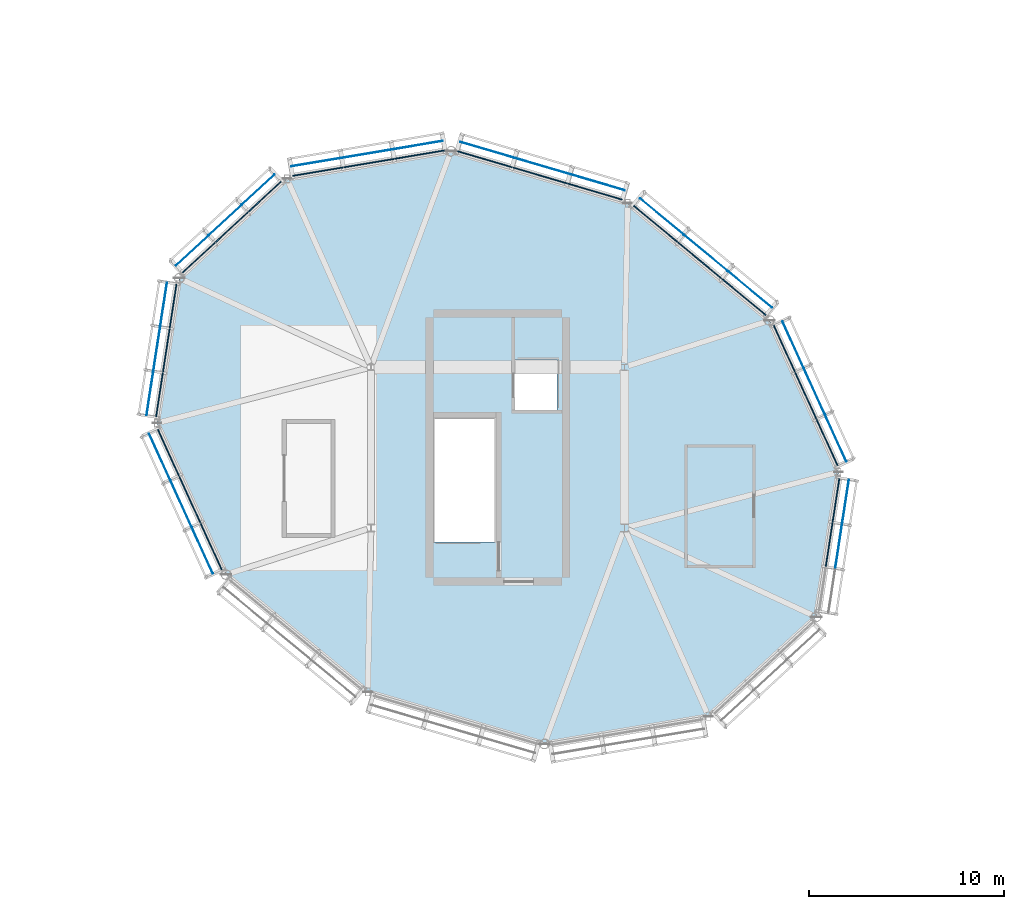
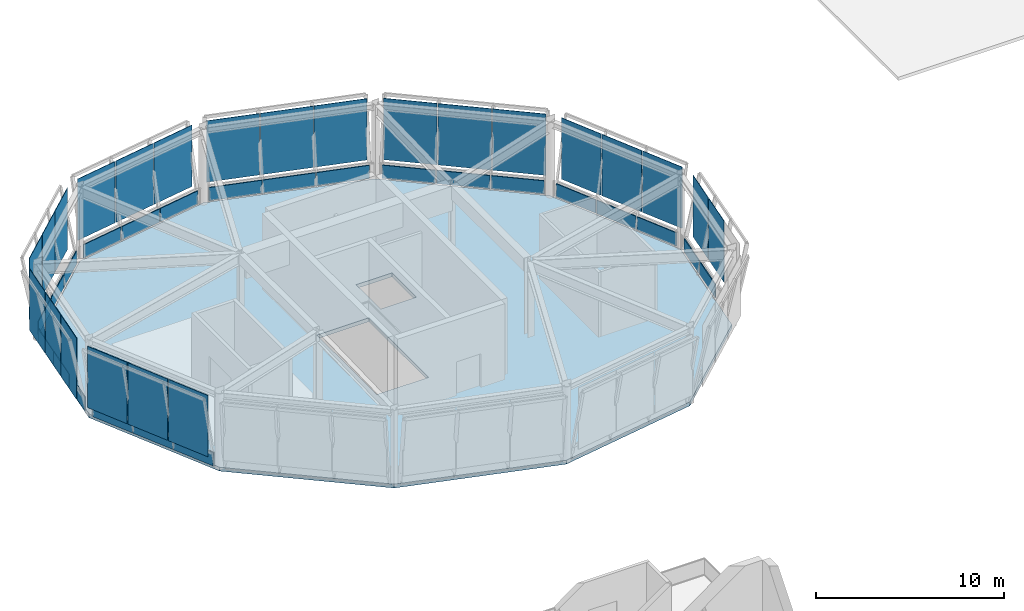
# One storey, part 74 of 113: 46 plates, 1 slab, 8 elements without a shape of their own.
"""IFC4 building model written with IfcOpenShell, lengths in metres."""

from ifc_helpers import new_model, si_unit, direction, frame, origin, origin_2d, place, context, subcontext, project, spatial, polyline, rectangle, outline, extrude, material, layer, layer_set, type_object, element, aggregate, save


model = new_model("IFC4")

# Units and contexts
model_context = context("Model", 3, precision=1e-05, world=origin(), true_north=direction((0.0, 1.0)))
body_context = subcontext(model_context, "Body", "Model", "MODEL_VIEW")
ifc_project = project(units=[si_unit("LENGTHUNIT", "METRE"), si_unit("AREAUNIT", "SQUARE_METRE"), si_unit("VOLUMEUNIT", "CUBIC_METRE"), si_unit("PLANEANGLEUNIT", "RADIAN"), si_unit("MASSUNIT", "GRAM", prefix="KILO")], contexts=[model_context])

# Site, building, storey
site_placement = place(None, origin())
site = spatial("IfcSite", under=ifc_project, at=site_placement, CompositionType="ELEMENT")
building_placement = place(site_placement, origin())
building = spatial("IfcBuilding", under=site, at=building_placement, Name="Linyun Crest Stadium", CompositionType="ELEMENT")
storey_placement = place(building_placement, frame((0.0, 0.0, 26.39990234375)))
storey = spatial("IfcBuildingStorey", under=building, at=storey_placement, Name="L06", CompositionType="ELEMENT", Elevation=26.39990234375)

# Slab
ifc_material_1 = material(Name="Concrete C40", Category="concrete")
ifc_layer_1 = layer(ifc_material_1, 0.25)
ifc_layer_set_1 = layer_set([ifc_layer_1], Name="Concrete C40")
slab_type = type_object("IfcSlabType", Name="FS04", PredefinedType="FLOOR", material=ifc_layer_set_1)
slab_placement = place(storey_placement, frame((0.0, 0.0, -0.25)))
element("IfcSlab", 1, at=slab_placement, inside=storey, type_object=slab_type, Name="Slab FS04 V5 L06 52", PredefinedType="FLOOR", context=body_context, shape_type="SweptSolid", body=[
    extrude(outline(polyline([(-57.1650390625, 75.93994140625), (-56.02099609375, 83.3720703125), (-59.55908203125, 91.139892578125), (-66.833984375, 97.1630859375), (-75.89404296875, 99.825927734375), (-84.31298828125, 98.416015625), (-89.8349609375, 93.31005859375), (-90.97900390625, 85.8779296875), (-87.44091796875, 78.110107421875), (-80.166015625, 72.0869140625), (-71.10595703125, 69.424072265625), (-62.68701171875, 70.833984375), (-57.1650390625, 75.93994140625)]), holes=[polyline([(-76.800048828125, 79.77001953125), (-76.800048828125, 86.14990234375), (-73.60009765625, 86.14990234375), (-73.60009765625, 79.77001953125), (-76.800048828125, 79.77001953125)]), polyline([(-72.64990234375, 86.550048828125), (-72.64990234375, 89.14990234375), (-70.449951171875, 89.14990234375), (-70.449951171875, 86.550048828125), (-72.64990234375, 86.550048828125)])]), origin(), (0.0, 0.0, 1.0), 0.25),
])

# Curtain wall, plates
ifc_material_2 = material(Name="Verdigris steel and low-E curtain wall assembly", Category="steel")
curtain_wall_type = type_object("IfcCurtainWallType", Name="MCW04", PredefinedType="NOTDEFINED", material=ifc_material_2)
curtain_wall_1_placement = place(storey_placement, origin())
curtain_wall_1 = element("IfcCurtainWall", 2, at=curtain_wall_1_placement, inside=storey, type_object=curtain_wall_type, Name="CWR-025", PredefinedType="NOTDEFINED")
ifc_material_3 = material(Name="Acoustic laminated low-E broadcast glass", Category="glass")
ifc_layer_2 = layer(ifc_material_3, 0.030029296875)
ifc_layer_set_2 = layer_set([ifc_layer_2], Name="Acoustic laminated low-E broadcast glass")
plate_type_1 = type_object("IfcPlateType", Name="GP02", PredefinedType="CURTAIN_PANEL", material=ifc_layer_set_2)
plate_1_placement = place(storey_placement, frame((-56.013916015625, 79.56689453125, 0.884521484375), z_axis=(0.0, 0.0, 1.0), x_axis=(0.152054385169, 0.988372128275, 0.0)))
plate_1 = element("IfcPlate", 3, at=plate_1_placement, type_object=plate_type_1, Name="CWR-025 panel 2.2", PredefinedType="CURTAIN_PANEL", context=body_context, shape_type="SweptSolid", body=[
    extrude(rectangle(XDim=2.256103515625, YDim=0.030029296875, at=origin_2d()), origin(), (0.0, 0.0, 1.0), 3.9912109375),
])
plate_2_placement = place(storey_placement, frame((-55.6630859375, 81.845947265625, 0.884521484375), z_axis=(0.0, 0.0, 1.0), x_axis=(0.152054385169, 0.988372128275, 0.0)))
plate_2 = element("IfcPlate", 4, at=plate_2_placement, type_object=plate_type_1, Name="CWR-025 panel 3.2", PredefinedType="CURTAIN_PANEL", context=body_context, shape_type="SweptSolid", body=[
    extrude(rectangle(XDim=2.256103515625, YDim=0.030029296875, at=origin_2d()), origin(), (0.0, 0.0, 1.0), 3.9912109375),
])

curtain_wall_2_placement = place(storey_placement, origin())
curtain_wall_2 = element("IfcCurtainWall", 5, at=curtain_wall_2_placement, inside=storey, type_object=curtain_wall_type, Name="CWR-026", PredefinedType="NOTDEFINED")
plate_3_placement = place(storey_placement, frame((-56.159912109375, 85.092041015625, 0.884521484375), z_axis=(0.0, 0.0, 1.0), x_axis=(-0.414566184052, 0.910019164106, 0.0)))
plate_3 = element("IfcPlate", 6, at=plate_3_placement, type_object=plate_type_1, Name="CWR-026 panel 1.2", PredefinedType="CURTAIN_PANEL", context=body_context, shape_type="SweptSolid", body=[
    extrude(rectangle(XDim=2.595458984375, YDim=0.030029296875, at=origin_2d()), origin(), (0.0, 0.0, 1.0), 3.9912109375),
])
plate_4_placement = place(storey_placement, frame((-57.257080078125, 87.4990234375, 0.884521484375), z_axis=(0.0, 0.0, 1.0), x_axis=(-0.414566184052, 0.910019164106, 0.0)))
plate_4 = element("IfcPlate", 7, at=plate_4_placement, type_object=plate_type_1, Name="CWR-026 panel 2.2", PredefinedType="CURTAIN_PANEL", context=body_context, shape_type="SweptSolid", body=[
    extrude(rectangle(XDim=2.595458984375, YDim=0.030029296875, at=origin_2d()), origin(), (0.0, 0.0, 1.0), 3.9912109375),
])
plate_5_placement = place(storey_placement, frame((-58.35302734375, 89.906005859375, 0.884521484375), z_axis=(0.0, 0.0, 1.0), x_axis=(-0.414566184052, 0.910019164106, 0.0)))
plate_5 = element("IfcPlate", 8, at=plate_5_placement, type_object=plate_type_1, Name="CWR-026 panel 3.2", PredefinedType="CURTAIN_PANEL", context=body_context, shape_type="SweptSolid", body=[
    extrude(rectangle(XDim=2.595458984375, YDim=0.030029296875, at=origin_2d()), origin(), (0.0, 0.0, 1.0), 3.9912109375),
])

curtain_wall_3_placement = place(storey_placement, origin())
curtain_wall_3 = element("IfcCurtainWall", 9, at=curtain_wall_3_placement, inside=storey, type_object=curtain_wall_type, Name="CWR-027", PredefinedType="NOTDEFINED")
plate_6_placement = place(storey_placement, frame((-60.552001953125, 92.721923828125, 0.884521484375), z_axis=(0.0, 0.0, 1.0), x_axis=(-0.77024617165, 0.637746685651, 0.0)))
plate_6 = element("IfcPlate", 10, at=plate_6_placement, type_object=plate_type_1, Name="CWR-027 panel 1.2", PredefinedType="CURTAIN_PANEL", context=body_context, shape_type="SweptSolid", body=[
    extrude(rectangle(XDim=2.8984375, YDim=0.030029296875, at=origin_2d()), origin(), (0.0, 0.0, 1.0), 3.9912109375),
])
plate_7_placement = place(storey_placement, frame((-62.822998046875, 94.60302734375, 0.884521484375), z_axis=(0.0, 0.0, 1.0), x_axis=(-0.77024617165, 0.637746685651, 0.0)))
plate_7 = element("IfcPlate", 11, at=plate_7_placement, type_object=plate_type_1, Name="CWR-027 panel 2.2", PredefinedType="CURTAIN_PANEL", context=body_context, shape_type="SweptSolid", body=[
    extrude(rectangle(XDim=2.8984375, YDim=0.030029296875, at=origin_2d()), origin(), (0.0, 0.0, 1.0), 3.9912109375),
])
plate_8_placement = place(storey_placement, frame((-65.093994140625, 96.48291015625, 0.884521484375), z_axis=(0.0, 0.0, 1.0), x_axis=(-0.77024617165, 0.637746685651, 0.0)))
plate_8 = element("IfcPlate", 12, at=plate_8_placement, type_object=plate_type_1, Name="CWR-027 panel 3.2", PredefinedType="CURTAIN_PANEL", context=body_context, shape_type="SweptSolid", body=[
    extrude(rectangle(XDim=2.8984375, YDim=0.030029296875, at=origin_2d()), origin(), (0.0, 0.0, 1.0), 3.9912109375),
])

curtain_wall_4_placement = place(storey_placement, origin())
curtain_wall_4 = element("IfcCurtainWall", 13, at=curtain_wall_4_placement, inside=storey, type_object=curtain_wall_type, Name="CWR-028", PredefinedType="NOTDEFINED")
plate_9_placement = place(storey_placement, frame((-68.37109375, 98.22607421875, 0.884521484375), z_axis=(0.0, 0.0, 1.0), x_axis=(-0.959437077917, 0.281922850294, 0.0)))
plate_9 = element("IfcPlate", 14, at=plate_9_placement, type_object=plate_type_1, Name="CWR-028 panel 1.2", PredefinedType="CURTAIN_PANEL", context=body_context, shape_type="SweptSolid", body=[
    extrude(rectangle(XDim=2.897705078125, YDim=0.030029296875, at=origin_2d()), origin(), (0.0, 0.0, 1.0), 3.9912109375),
])
plate_10_placement = place(storey_placement, frame((-71.198974609375, 99.056884765625, 0.884521484375), z_axis=(0.0, 0.0, 1.0), x_axis=(-0.959437077917, 0.281922850294, 0.0)))
plate_10 = element("IfcPlate", 15, at=plate_10_placement, type_object=plate_type_1, Name="CWR-028 panel 2.2", PredefinedType="CURTAIN_PANEL", context=body_context, shape_type="SweptSolid", body=[
    extrude(rectangle(XDim=2.897705078125, YDim=0.030029296875, at=origin_2d()), origin(), (0.0, 0.0, 1.0), 3.9912109375),
])
plate_11_placement = place(storey_placement, frame((-74.027099609375, 99.887939453125, 0.884521484375), z_axis=(0.0, 0.0, 1.0), x_axis=(-0.959437077917, 0.281922850294, 0.0)))
plate_11 = element("IfcPlate", 16, at=plate_11_placement, type_object=plate_type_1, Name="CWR-028 panel 3.2", PredefinedType="CURTAIN_PANEL", context=body_context, shape_type="SweptSolid", body=[
    extrude(rectangle(XDim=2.897705078125, YDim=0.030029296875, at=origin_2d()), origin(), (0.0, 0.0, 1.0), 3.9912109375),
])

curtain_wall_5_placement = place(storey_placement, origin())
curtain_wall_5 = element("IfcCurtainWall", 17, at=curtain_wall_5_placement, inside=storey, type_object=curtain_wall_type, Name="CWR-029", PredefinedType="NOTDEFINED")
plate_12_placement = place(storey_placement, frame((-77.591064453125, 100.135986328125, 0.884521484375), z_axis=(0.0, 0.0, 1.0), x_axis=(-0.986282720763, -0.165064819767, 0.0)))
plate_12 = element("IfcPlate", 18, at=plate_12_placement, type_object=plate_type_1, Name="CWR-029 panel 1.2", PredefinedType="CURTAIN_PANEL", context=body_context, shape_type="SweptSolid", body=[
    extrude(rectangle(XDim=2.59521484375, YDim=0.030029296875, at=origin_2d()), origin(), (0.0, 0.0, 1.0), 3.9912109375),
])
plate_13_placement = place(storey_placement, frame((-80.199951171875, 99.698974609375, 0.884521484375), z_axis=(0.0, 0.0, 1.0), x_axis=(-0.986282720763, -0.165064819767, 0.0)))
plate_13 = element("IfcPlate", 19, at=plate_13_placement, type_object=plate_type_1, Name="CWR-029 panel 2.2", PredefinedType="CURTAIN_PANEL", context=body_context, shape_type="SweptSolid", body=[
    extrude(rectangle(XDim=2.59521484375, YDim=0.030029296875, at=origin_2d()), origin(), (0.0, 0.0, 1.0), 3.9912109375),
])
plate_14_placement = place(storey_placement, frame((-82.80908203125, 99.261962890625, 0.884521484375), z_axis=(0.0, 0.0, 1.0), x_axis=(-0.986282720763, -0.165064819767, 0.0)))
plate_14 = element("IfcPlate", 20, at=plate_14_placement, type_object=plate_type_1, Name="CWR-029 panel 3.2", PredefinedType="CURTAIN_PANEL", context=body_context, shape_type="SweptSolid", body=[
    extrude(rectangle(XDim=2.59521484375, YDim=0.030029296875, at=origin_2d()), origin(), (0.0, 0.0, 1.0), 3.9912109375),
])

curtain_wall_6_placement = place(storey_placement, origin())
curtain_wall_6 = element("IfcCurtainWall", 21, at=curtain_wall_6_placement, inside=storey, type_object=curtain_wall_type, Name="CWR-030", PredefinedType="NOTDEFINED")
plate_15_placement = place(storey_placement, frame((-85.778076171875, 97.85888671875, 0.884521484375), z_axis=(0.0, 0.0, 1.0), x_axis=(-0.734298814372, -0.678826377811, 0.0)))
plate_15 = element("IfcPlate", 22, at=plate_15_placement, type_object=plate_type_1, Name="CWR-030 panel 1.2", PredefinedType="CURTAIN_PANEL", context=body_context, shape_type="SweptSolid", body=[
    extrude(rectangle(XDim=2.2568359375, YDim=0.030029296875, at=origin_2d()), origin(), (0.0, 0.0, 1.0), 3.9912109375),
])
plate_16_placement = place(storey_placement, frame((-87.471923828125, 96.29296875, 0.884521484375), z_axis=(0.0, 0.0, 1.0), x_axis=(-0.734298814372, -0.678826377811, 0.0)))
plate_16 = element("IfcPlate", 23, at=plate_16_placement, type_object=plate_type_1, Name="CWR-030 panel 2.2", PredefinedType="CURTAIN_PANEL", context=body_context, shape_type="SweptSolid", body=[
    extrude(rectangle(XDim=2.2568359375, YDim=0.030029296875, at=origin_2d()), origin(), (0.0, 0.0, 1.0), 3.9912109375),
])
plate_17_placement = place(storey_placement, frame((-89.166015625, 94.72705078125, 0.884521484375), z_axis=(0.0, 0.0, 1.0), x_axis=(-0.734298814372, -0.678826377811, 0.0)))
plate_17 = element("IfcPlate", 24, at=plate_17_placement, type_object=plate_type_1, Name="CWR-030 panel 3.2", PredefinedType="CURTAIN_PANEL", context=body_context, shape_type="SweptSolid", body=[
    extrude(rectangle(XDim=2.2568359375, YDim=0.030029296875, at=origin_2d()), origin(), (0.0, 0.0, 1.0), 3.9912109375),
])

curtain_wall_7_placement = place(storey_placement, origin())
curtain_wall_7 = element("IfcCurtainWall", 25, at=curtain_wall_7_placement, inside=storey, type_object=curtain_wall_type, Name="CWR-031", PredefinedType="NOTDEFINED")
plate_18_placement = place(storey_placement, frame((-90.635009765625, 91.9619140625, 0.884521484375), z_axis=(0.0, 0.0, 1.0), x_axis=(-0.152054385169, -0.988372128275, 0.0)))
plate_18 = element("IfcPlate", 26, at=plate_18_placement, type_object=plate_type_1, Name="CWR-031 panel 1.2", PredefinedType="CURTAIN_PANEL", context=body_context, shape_type="SweptSolid", body=[
    extrude(rectangle(XDim=2.256103515625, YDim=0.030029296875, at=origin_2d()), origin(), (0.0, 0.0, 1.0), 3.9912109375),
])
plate_19_placement = place(storey_placement, frame((-90.986083984375, 89.68310546875, 0.884521484375), z_axis=(0.0, 0.0, 1.0), x_axis=(-0.152054385169, -0.988372128275, 0.0)))
plate_19 = element("IfcPlate", 27, at=plate_19_placement, type_object=plate_type_1, Name="CWR-031 panel 2.2", PredefinedType="CURTAIN_PANEL", context=body_context, shape_type="SweptSolid", body=[
    extrude(rectangle(XDim=2.256103515625, YDim=0.030029296875, at=origin_2d()), origin(), (0.0, 0.0, 1.0), 3.9912109375),
])
plate_20_placement = place(storey_placement, frame((-91.3369140625, 87.404052734375, 0.884521484375), z_axis=(0.0, 0.0, 1.0), x_axis=(-0.152054385169, -0.988372128275, 0.0)))
plate_20 = element("IfcPlate", 28, at=plate_20_placement, type_object=plate_type_1, Name="CWR-031 panel 3.2", PredefinedType="CURTAIN_PANEL", context=body_context, shape_type="SweptSolid", body=[
    extrude(rectangle(XDim=2.256103515625, YDim=0.030029296875, at=origin_2d()), origin(), (0.0, 0.0, 1.0), 3.9912109375),
])

curtain_wall_8_placement = place(storey_placement, origin())
curtain_wall_8 = element("IfcCurtainWall", 29, at=curtain_wall_8_placement, inside=storey, type_object=curtain_wall_type, Name="CWR-032", PredefinedType="NOTDEFINED")
plate_21_placement = place(storey_placement, frame((-90.840087890625, 84.157958984375, 0.884521484375), z_axis=(0.0, 0.0, 1.0), x_axis=(0.414566184052, -0.910019164106, 0.0)))
plate_21 = element("IfcPlate", 30, at=plate_21_placement, type_object=plate_type_1, Name="CWR-032 panel 1.2", PredefinedType="CURTAIN_PANEL", context=body_context, shape_type="SweptSolid", body=[
    extrude(rectangle(XDim=2.595458984375, YDim=0.030029296875, at=origin_2d()), origin(), (0.0, 0.0, 1.0), 3.9912109375),
])
plate_22_placement = place(storey_placement, frame((-89.742919921875, 81.7509765625, 0.884521484375), z_axis=(0.0, 0.0, 1.0), x_axis=(0.414566184052, -0.910019164106, 0.0)))
plate_22 = element("IfcPlate", 31, at=plate_22_placement, type_object=plate_type_1, Name="CWR-032 panel 2.2", PredefinedType="CURTAIN_PANEL", context=body_context, shape_type="SweptSolid", body=[
    extrude(rectangle(XDim=2.595458984375, YDim=0.030029296875, at=origin_2d()), origin(), (0.0, 0.0, 1.0), 3.9912109375),
])
plate_23_placement = place(storey_placement, frame((-88.64697265625, 79.343994140625, 0.884521484375), z_axis=(0.0, 0.0, 1.0), x_axis=(0.414566184052, -0.910019164106, 0.0)))
plate_23 = element("IfcPlate", 32, at=plate_23_placement, type_object=plate_type_1, Name="CWR-032 panel 3.2", PredefinedType="CURTAIN_PANEL", context=body_context, shape_type="SweptSolid", body=[
    extrude(rectangle(XDim=2.595458984375, YDim=0.030029296875, at=origin_2d()), origin(), (0.0, 0.0, 1.0), 3.9912109375),
])

# Plate
ifc_material_4 = material(Name="Verdigris enamelled metal insulated spandrel")
ifc_layer_3 = layer(ifc_material_4, 0.053955078125)
ifc_layer_set_3 = layer_set([ifc_layer_3], Name="Verdigris enamelled metal insulated spandrel")
plate_type_2 = type_object("IfcPlateType", Name="SP03", PredefinedType="SHEET", material=ifc_layer_set_3)
plate_24_placement = place(storey_placement, frame((-56.5029296875, 79.64208984375, 0.01611328125), z_axis=(0.0, 0.0, 1.0), x_axis=(0.152054385169, 0.988372128275, 0.0)))
plate_24 = element("IfcPlate", 33, at=plate_24_placement, type_object=plate_type_2, Name="CWR-025 panel 2.1", PredefinedType="SHEET", context=body_context, shape_type="SweptSolid", body=[
    extrude(rectangle(XDim=2.256103515625, YDim=0.053955078125, at=origin_2d()), origin(), (0.0, 0.0, 1.0), 0.868408203125),
])

plate_25_placement = place(storey_placement, frame((-56.152099609375, 81.9208984375, 0.01611328125), z_axis=(0.0, 0.0, 1.0), x_axis=(0.152054385169, 0.988372128275, 0.0)))
plate_25 = element("IfcPlate", 34, at=plate_25_placement, type_object=plate_type_2, Name="CWR-025 panel 3.1", PredefinedType="SHEET", context=body_context, shape_type="SweptSolid", body=[
    extrude(rectangle(XDim=2.256103515625, YDim=0.053955078125, at=origin_2d()), origin(), (0.0, 0.0, 1.0), 0.868408203125),
])

aggregate(curtain_wall_1, [plate_24, plate_1, plate_25, plate_2])

plate_26_placement = place(storey_placement, frame((-56.610107421875, 84.886962890625, 0.01611328125), z_axis=(0.0, 0.0, 1.0), x_axis=(-0.414566184052, 0.910019164106, 0.0)))
plate_26 = element("IfcPlate", 35, at=plate_26_placement, type_object=plate_type_2, Name="CWR-026 panel 1.1", PredefinedType="SHEET", context=body_context, shape_type="SweptSolid", body=[
    extrude(rectangle(XDim=2.595458984375, YDim=0.053955078125, at=origin_2d()), origin(), (0.0, 0.0, 1.0), 0.868408203125),
])

plate_27_placement = place(storey_placement, frame((-57.70703125, 87.2939453125, 0.01611328125), z_axis=(0.0, 0.0, 1.0), x_axis=(-0.414566184052, 0.910019164106, 0.0)))
plate_27 = element("IfcPlate", 36, at=plate_27_placement, type_object=plate_type_2, Name="CWR-026 panel 2.1", PredefinedType="SHEET", context=body_context, shape_type="SweptSolid", body=[
    extrude(rectangle(XDim=2.595458984375, YDim=0.053955078125, at=origin_2d()), origin(), (0.0, 0.0, 1.0), 0.868408203125),
])

plate_28_placement = place(storey_placement, frame((-58.802978515625, 89.700927734375, 0.01611328125), z_axis=(0.0, 0.0, 1.0), x_axis=(-0.414566184052, 0.910019164106, 0.0)))
plate_28 = element("IfcPlate", 37, at=plate_28_placement, type_object=plate_type_2, Name="CWR-026 panel 3.1", PredefinedType="SHEET", context=body_context, shape_type="SweptSolid", body=[
    extrude(rectangle(XDim=2.595458984375, YDim=0.053955078125, at=origin_2d()), origin(), (0.0, 0.0, 1.0), 0.868408203125),
])

aggregate(curtain_wall_2, [plate_26, plate_3, plate_27, plate_4, plate_28, plate_5])

plate_29_placement = place(storey_placement, frame((-60.866943359375, 92.342041015625, 0.01611328125), z_axis=(0.0, 0.0, 1.0), x_axis=(-0.77024617165, 0.637746685651, 0.0)))
plate_29 = element("IfcPlate", 38, at=plate_29_placement, type_object=plate_type_2, Name="CWR-027 panel 1.1", PredefinedType="SHEET", context=body_context, shape_type="SweptSolid", body=[
    extrude(rectangle(XDim=2.8984375, YDim=0.053955078125, at=origin_2d()), origin(), (0.0, 0.0, 1.0), 0.868408203125),
])

plate_30_placement = place(storey_placement, frame((-63.137939453125, 94.221923828125, 0.01611328125), z_axis=(0.0, 0.0, 1.0), x_axis=(-0.77024617165, 0.637746685651, 0.0)))
plate_30 = element("IfcPlate", 39, at=plate_30_placement, type_object=plate_type_2, Name="CWR-027 panel 2.1", PredefinedType="SHEET", context=body_context, shape_type="SweptSolid", body=[
    extrude(rectangle(XDim=2.8984375, YDim=0.053955078125, at=origin_2d()), origin(), (0.0, 0.0, 1.0), 0.868408203125),
])

plate_31_placement = place(storey_placement, frame((-65.408935546875, 96.10205078125, 0.01611328125), z_axis=(0.0, 0.0, 1.0), x_axis=(-0.77024617165, 0.637746685651, 0.0)))
plate_31 = element("IfcPlate", 40, at=plate_31_placement, type_object=plate_type_2, Name="CWR-027 panel 3.1", PredefinedType="SHEET", context=body_context, shape_type="SweptSolid", body=[
    extrude(rectangle(XDim=2.8984375, YDim=0.053955078125, at=origin_2d()), origin(), (0.0, 0.0, 1.0), 0.868408203125),
])

aggregate(curtain_wall_3, [plate_29, plate_6, plate_30, plate_7, plate_31, plate_8])

plate_32_placement = place(storey_placement, frame((-68.510009765625, 97.7509765625, 0.01611328125), z_axis=(0.0, 0.0, 1.0), x_axis=(-0.959437077917, 0.281922850294, 0.0)))
plate_32 = element("IfcPlate", 41, at=plate_32_placement, type_object=plate_type_2, Name="CWR-028 panel 1.1", PredefinedType="SHEET", context=body_context, shape_type="SweptSolid", body=[
    extrude(rectangle(XDim=2.897705078125, YDim=0.053955078125, at=origin_2d()), origin(), (0.0, 0.0, 1.0), 0.868408203125),
])

plate_33_placement = place(storey_placement, frame((-71.337890625, 98.58203125, 0.01611328125), z_axis=(0.0, 0.0, 1.0), x_axis=(-0.959437077917, 0.281922850294, 0.0)))
plate_33 = element("IfcPlate", 42, at=plate_33_placement, type_object=plate_type_2, Name="CWR-028 panel 2.1", PredefinedType="SHEET", context=body_context, shape_type="SweptSolid", body=[
    extrude(rectangle(XDim=2.897705078125, YDim=0.053955078125, at=origin_2d()), origin(), (0.0, 0.0, 1.0), 0.868408203125),
])

plate_34_placement = place(storey_placement, frame((-74.166015625, 99.4130859375, 0.01611328125), z_axis=(0.0, 0.0, 1.0), x_axis=(-0.959437077917, 0.281922850294, 0.0)))
plate_34 = element("IfcPlate", 43, at=plate_34_placement, type_object=plate_type_2, Name="CWR-028 panel 3.1", PredefinedType="SHEET", context=body_context, shape_type="SweptSolid", body=[
    extrude(rectangle(XDim=2.897705078125, YDim=0.053955078125, at=origin_2d()), origin(), (0.0, 0.0, 1.0), 0.868408203125),
])

aggregate(curtain_wall_4, [plate_32, plate_9, plate_33, plate_10, plate_34, plate_11])

plate_35_placement = place(storey_placement, frame((-77.510009765625, 99.64794921875, 0.01611328125), z_axis=(0.0, 0.0, 1.0), x_axis=(-0.986282720763, -0.165064819767, 0.0)))
plate_35 = element("IfcPlate", 44, at=plate_35_placement, type_object=plate_type_2, Name="CWR-029 panel 1.1", PredefinedType="SHEET", context=body_context, shape_type="SweptSolid", body=[
    extrude(rectangle(XDim=2.59521484375, YDim=0.053955078125, at=origin_2d()), origin(), (0.0, 0.0, 1.0), 0.868408203125),
])

plate_36_placement = place(storey_placement, frame((-80.118896484375, 99.2109375, 0.01611328125), z_axis=(0.0, 0.0, 1.0), x_axis=(-0.986282720763, -0.165064819767, 0.0)))
plate_36 = element("IfcPlate", 45, at=plate_36_placement, type_object=plate_type_2, Name="CWR-029 panel 2.1", PredefinedType="SHEET", context=body_context, shape_type="SweptSolid", body=[
    extrude(rectangle(XDim=2.59521484375, YDim=0.053955078125, at=origin_2d()), origin(), (0.0, 0.0, 1.0), 0.868408203125),
])

plate_37_placement = place(storey_placement, frame((-82.72802734375, 98.77490234375, 0.01611328125), z_axis=(0.0, 0.0, 1.0), x_axis=(-0.986282720763, -0.165064819767, 0.0)))
plate_37 = element("IfcPlate", 46, at=plate_37_placement, type_object=plate_type_2, Name="CWR-029 panel 3.1", PredefinedType="SHEET", context=body_context, shape_type="SweptSolid", body=[
    extrude(rectangle(XDim=2.59521484375, YDim=0.053955078125, at=origin_2d()), origin(), (0.0, 0.0, 1.0), 0.868408203125),
])

aggregate(curtain_wall_5, [plate_35, plate_12, plate_36, plate_13, plate_37, plate_14])

plate_38_placement = place(storey_placement, frame((-85.44189453125, 97.49609375, 0.01611328125), z_axis=(0.0, 0.0, 1.0), x_axis=(-0.734298814372, -0.678826377811, 0.0)))
plate_38 = element("IfcPlate", 47, at=plate_38_placement, type_object=plate_type_2, Name="CWR-030 panel 1.1", PredefinedType="SHEET", context=body_context, shape_type="SweptSolid", body=[
    extrude(rectangle(XDim=2.2568359375, YDim=0.053955078125, at=origin_2d()), origin(), (0.0, 0.0, 1.0), 0.868408203125),
])

plate_39_placement = place(storey_placement, frame((-87.135986328125, 95.929931640625, 0.01611328125), z_axis=(0.0, 0.0, 1.0), x_axis=(-0.734298814372, -0.678826377811, 0.0)))
plate_39 = element("IfcPlate", 48, at=plate_39_placement, type_object=plate_type_2, Name="CWR-030 panel 2.1", PredefinedType="SHEET", context=body_context, shape_type="SweptSolid", body=[
    extrude(rectangle(XDim=2.2568359375, YDim=0.053955078125, at=origin_2d()), origin(), (0.0, 0.0, 1.0), 0.868408203125),
])

plate_40_placement = place(storey_placement, frame((-88.830078125, 94.364013671875, 0.01611328125), z_axis=(0.0, 0.0, 1.0), x_axis=(-0.734298814372, -0.678826377811, 0.0)))
plate_40 = element("IfcPlate", 49, at=plate_40_placement, type_object=plate_type_2, Name="CWR-030 panel 3.1", PredefinedType="SHEET", context=body_context, shape_type="SweptSolid", body=[
    extrude(rectangle(XDim=2.2568359375, YDim=0.053955078125, at=origin_2d()), origin(), (0.0, 0.0, 1.0), 0.868408203125),
])

aggregate(curtain_wall_6, [plate_38, plate_15, plate_39, plate_16, plate_40, plate_17])

plate_41_placement = place(storey_placement, frame((-90.14697265625, 91.886962890625, 0.01611328125), z_axis=(0.0, 0.0, 1.0), x_axis=(-0.152054385169, -0.988372128275, 0.0)))
plate_41 = element("IfcPlate", 50, at=plate_41_placement, type_object=plate_type_2, Name="CWR-031 panel 1.1", PredefinedType="SHEET", context=body_context, shape_type="SweptSolid", body=[
    extrude(rectangle(XDim=2.256103515625, YDim=0.053955078125, at=origin_2d()), origin(), (0.0, 0.0, 1.0), 0.868408203125),
])

plate_42_placement = place(storey_placement, frame((-90.4970703125, 89.60791015625, 0.01611328125), z_axis=(0.0, 0.0, 1.0), x_axis=(-0.152054385169, -0.988372128275, 0.0)))
plate_42 = element("IfcPlate", 51, at=plate_42_placement, type_object=plate_type_2, Name="CWR-031 panel 2.1", PredefinedType="SHEET", context=body_context, shape_type="SweptSolid", body=[
    extrude(rectangle(XDim=2.256103515625, YDim=0.053955078125, at=origin_2d()), origin(), (0.0, 0.0, 1.0), 0.868408203125),
])

plate_43_placement = place(storey_placement, frame((-90.847900390625, 87.3291015625, 0.01611328125), z_axis=(0.0, 0.0, 1.0), x_axis=(-0.152054385169, -0.988372128275, 0.0)))
plate_43 = element("IfcPlate", 52, at=plate_43_placement, type_object=plate_type_2, Name="CWR-031 panel 3.1", PredefinedType="SHEET", context=body_context, shape_type="SweptSolid", body=[
    extrude(rectangle(XDim=2.256103515625, YDim=0.053955078125, at=origin_2d()), origin(), (0.0, 0.0, 1.0), 0.868408203125),
])

aggregate(curtain_wall_7, [plate_41, plate_18, plate_42, plate_19, plate_43, plate_20])

plate_44_placement = place(storey_placement, frame((-90.389892578125, 84.363037109375, 0.01611328125), z_axis=(0.0, 0.0, 1.0), x_axis=(0.414566184052, -0.910019164106, 0.0)))
plate_44 = element("IfcPlate", 53, at=plate_44_placement, type_object=plate_type_2, Name="CWR-032 panel 1.1", PredefinedType="SHEET", context=body_context, shape_type="SweptSolid", body=[
    extrude(rectangle(XDim=2.595458984375, YDim=0.053955078125, at=origin_2d()), origin(), (0.0, 0.0, 1.0), 0.868408203125),
])

plate_45_placement = place(storey_placement, frame((-89.29296875, 81.9560546875, 0.01611328125), z_axis=(0.0, 0.0, 1.0), x_axis=(0.414566184052, -0.910019164106, 0.0)))
plate_45 = element("IfcPlate", 54, at=plate_45_placement, type_object=plate_type_2, Name="CWR-032 panel 2.1", PredefinedType="SHEET", context=body_context, shape_type="SweptSolid", body=[
    extrude(rectangle(XDim=2.595458984375, YDim=0.053955078125, at=origin_2d()), origin(), (0.0, 0.0, 1.0), 0.868408203125),
])

plate_46_placement = place(storey_placement, frame((-88.197021484375, 79.549072265625, 0.01611328125), z_axis=(0.0, 0.0, 1.0), x_axis=(0.414566184052, -0.910019164106, 0.0)))
plate_46 = element("IfcPlate", 55, at=plate_46_placement, type_object=plate_type_2, Name="CWR-032 panel 3.1", PredefinedType="SHEET", context=body_context, shape_type="SweptSolid", body=[
    extrude(rectangle(XDim=2.595458984375, YDim=0.053955078125, at=origin_2d()), origin(), (0.0, 0.0, 1.0), 0.868408203125),
])

aggregate(curtain_wall_8, [plate_44, plate_21, plate_45, plate_22, plate_46, plate_23])

save(model, "model.ifc")
